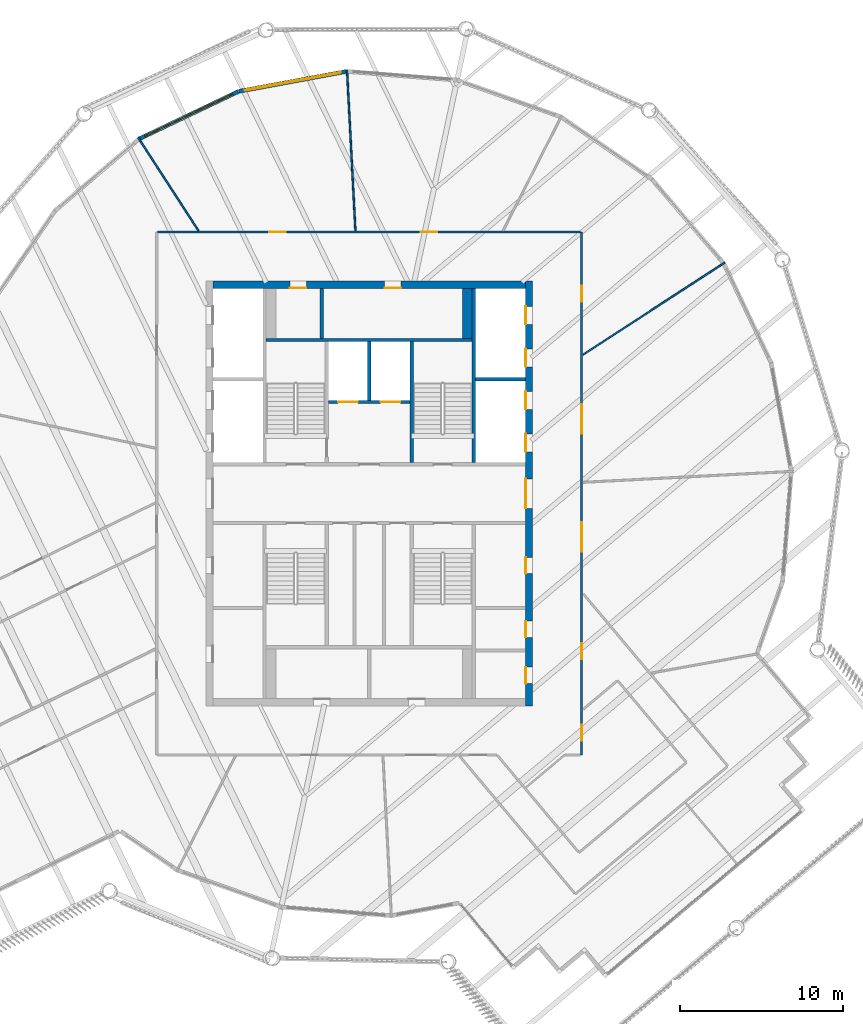
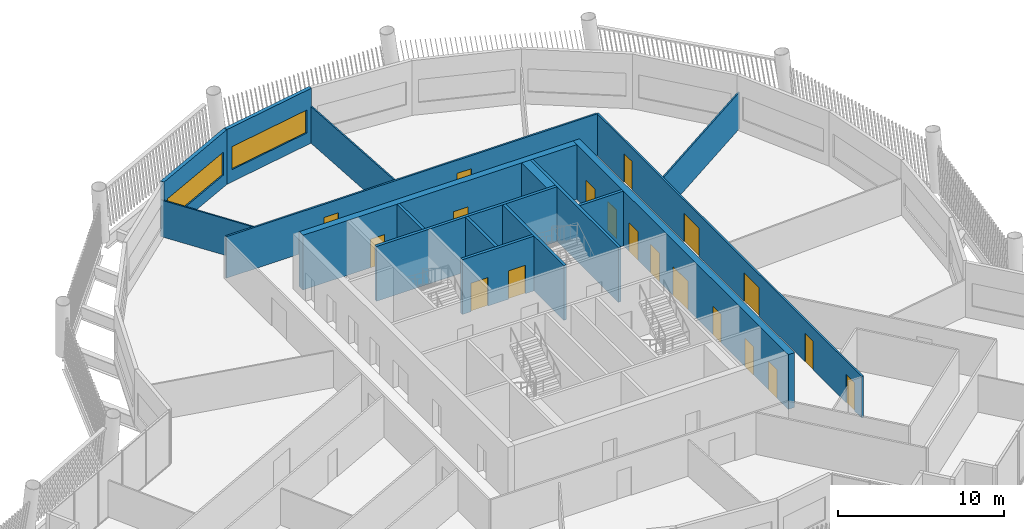
# One storey, part 22 of 31: 19 doors, 17 walls, 2 windows, 21 openings.
"""IFC4 building model written with IfcOpenShell, lengths in metres."""

from ifc_helpers import new_model, si_unit, direction, frame, frame_2d, origin, place, context, subcontext, project, spatial, rectangle, extrude, material, layer, layer_set, type_object, element, fill, save


model = new_model("IFC4")

# Units and contexts
model_context = context("Model", 3, precision=1e-05, world=origin(), true_north=direction((0.0, 1.0)))
body_context = subcontext(model_context, "Body", "Model", "MODEL_VIEW")
ifc_project = project(units=[si_unit("LENGTHUNIT", "METRE"), si_unit("AREAUNIT", "SQUARE_METRE"), si_unit("VOLUMEUNIT", "CUBIC_METRE"), si_unit("PLANEANGLEUNIT", "RADIAN"), si_unit("MASSUNIT", "GRAM", prefix="KILO")], contexts=[model_context])

# Site, building, storey
site_placement = place(None, origin())
site = spatial("IfcSite", under=ifc_project, at=site_placement, CompositionType="ELEMENT")
building_placement = place(site_placement, origin())
building = spatial("IfcBuilding", under=site, at=building_placement, Name="Tarsis Ring Headquarters", CompositionType="ELEMENT")
storey_placement = place(building_placement, frame((0.0, 0.0, 390.199951171875)))
storey = spatial("IfcBuildingStorey", under=building, at=storey_placement, Name="L92", CompositionType="ELEMENT", Elevation=390.199951171875)

# Wall
ifc_material_1 = material(Name="Blockwork", Category="masonry")
ifc_layer_1 = layer(ifc_material_1, 0.199951171875)
ifc_layer_set_1 = layer_set([ifc_layer_1], Name="Core blockwork wall 200")
wall_type_1 = type_object("IfcWallType", Name="Core blockwork wall 200", PredefinedType="PARTITIONING", material=ifc_layer_set_1)
wall_1_placement = place(storey_placement, frame((-2.89990234375, 9.5, 0.0), z_axis=(0.0, 0.0, 1.0), x_axis=(0.0, 1.0, 0.0)))
element("IfcWall", 1, at=wall_1_placement, inside=storey, type_object=wall_type_1, Name="Core partition ND1", PredefinedType="PARTITIONING", context=body_context, shape_type="SweptSolid", body=[
    extrude(rectangle(XDim=3.050048828125, YDim=0.199951171875, at=frame_2d((1.52490234375, 0.0))), origin(), (0.0, 0.0, 1.0), 4.0400390625),
])

# Wall, openings, doors
ifc_material_2 = material(Name="Concrete C50/60", Category="concrete")
ifc_layer_2 = layer(ifc_material_2, 0.449951171875)
ifc_layer_set_2 = layer_set([ifc_layer_2], Name="Core wall 450 C50/60")
wall_type_2 = type_object("IfcWallType", Name="Core wall 450 C50/60", PredefinedType="SHEAR", material=ifc_layer_set_2)
wall_2_placement = place(storey_placement, frame((9.77490234375, -13.0, 0.0), z_axis=(0.0, 0.0, 1.0), x_axis=(0.0, 1.0, 0.0)))
wall_2 = element("IfcWall", 2, at=wall_2_placement, inside=storey, type_object=wall_type_2, Name="Core wall OE", PredefinedType="SHEAR", context=body_context, shape_type="SweptSolid", body=[
    extrude(rectangle(XDim=26.0, YDim=0.449951171875, at=frame_2d((13.0, 0.0))), origin(), (0.0, 0.0, 1.0), 4.0400390625),
])
opening_1_placement = place(wall_2_placement, frame((1.375, 0.0, 0.0)))
opening_1 = element("IfcOpeningElement", 3, at=opening_1_placement, cuts=wall_2, Name="Opening L92-C08", PredefinedType="OPENING", context=body_context, shape_type="SweptSolid", body=[
    extrude(rectangle(XDim=1.0, YDim=2.10009765625, at=frame_2d((0.5, 1.050048828125))), frame((0.0, 0.23486328125, 0.0), z_axis=(0.0, -1.0, 0.0), x_axis=(1.0, 0.0, 0.0)), (0.0, 0.0, 1.0), 0.469970703125),
])
opening_2_placement = place(wall_2_placement, frame((4.199951171875, 0.0, 0.0)))
opening_2 = element("IfcOpeningElement", 4, at=opening_2_placement, cuts=wall_2, Name="Opening L92-C09", PredefinedType="OPENING", context=body_context, shape_type="SweptSolid", body=[
    extrude(rectangle(XDim=1.0, YDim=2.10009765625, at=frame_2d((0.5, 1.050048828125))), frame((0.0, 0.23486328125, 0.0), z_axis=(0.0, -1.0, 0.0), x_axis=(1.0, 0.0, 0.0)), (0.0, 0.0, 1.0), 0.469970703125),
])
opening_3_placement = place(wall_2_placement, frame((8.10009765625, 0.0, 0.0)))
opening_3 = element("IfcOpeningElement", 5, at=opening_3_placement, cuts=wall_2, Name="Opening L92-C10", PredefinedType="OPENING", context=body_context, shape_type="SweptSolid", body=[
    extrude(rectangle(XDim=1.0, YDim=2.10009765625, at=frame_2d((0.5, 1.050048828125))), frame((0.0, 0.23486328125, 0.0), z_axis=(0.0, -1.0, 0.0), x_axis=(1.0, 0.0, 0.0)), (0.0, 0.0, 1.0), 0.469970703125),
])
opening_4_placement = place(wall_2_placement, frame((12.10009765625, 0.0, 0.0)))
opening_4 = element("IfcOpeningElement", 6, at=opening_4_placement, cuts=wall_2, Name="Opening L92-C11", PredefinedType="OPENING", context=body_context, shape_type="SweptSolid", body=[
    extrude(rectangle(XDim=1.800048828125, YDim=2.10009765625, at=frame_2d((0.89990234375, 1.050048828125))), frame((0.0, 0.23486328125, 0.0), z_axis=(0.0, -1.0, 0.0), x_axis=(1.0, 0.0, 0.0)), (0.0, 0.0, 1.0), 0.469970703125),
])
opening_5_placement = place(wall_2_placement, frame((15.550048828125, 0.0, 0.0)))
opening_5 = element("IfcOpeningElement", 7, at=opening_5_placement, cuts=wall_2, Name="Opening LD-HR5", PredefinedType="OPENING", context=body_context, shape_type="SweptSolid", body=[
    extrude(rectangle(XDim=1.10009765625, YDim=2.10009765625, at=frame_2d((0.550048828125, 1.050048828125))), frame((0.0, 0.23486328125, 0.0), z_axis=(0.0, -1.0, 0.0), x_axis=(1.0, 0.0, 0.0)), (0.0, 0.0, 1.0), 0.469970703125),
])
opening_6_placement = place(wall_2_placement, frame((18.14990234375, 0.0, 0.0)))
opening_6 = element("IfcOpeningElement", 8, at=opening_6_placement, cuts=wall_2, Name="Opening LD-HR6", PredefinedType="OPENING", context=body_context, shape_type="SweptSolid", body=[
    extrude(rectangle(XDim=1.10009765625, YDim=2.10009765625, at=frame_2d((0.550048828125, 1.050048828125))), frame((0.0, 0.23486328125, 0.0), z_axis=(0.0, -1.0, 0.0), x_axis=(1.0, 0.0, 0.0)), (0.0, 0.0, 1.0), 0.469970703125),
])
opening_7_placement = place(wall_2_placement, frame((20.75, 0.0, 0.0)))
opening_7 = element("IfcOpeningElement", 9, at=opening_7_placement, cuts=wall_2, Name="Opening LD-HR7", PredefinedType="OPENING", context=body_context, shape_type="SweptSolid", body=[
    extrude(rectangle(XDim=1.10009765625, YDim=2.10009765625, at=frame_2d((0.550048828125, 1.050048828125))), frame((0.0, 0.23486328125, 0.0), z_axis=(0.0, -1.0, 0.0), x_axis=(1.0, 0.0, 0.0)), (0.0, 0.0, 1.0), 0.469970703125),
])
opening_8_placement = place(wall_2_placement, frame((23.35009765625, 0.0, 0.0)))
opening_8 = element("IfcOpeningElement", 10, at=opening_8_placement, cuts=wall_2, Name="Opening LD-HR8", PredefinedType="OPENING", context=body_context, shape_type="SweptSolid", body=[
    extrude(rectangle(XDim=1.10009765625, YDim=2.10009765625, at=frame_2d((0.550048828125, 1.050048828125))), frame((0.0, 0.23486328125, 0.0), z_axis=(0.0, -1.0, 0.0), x_axis=(1.0, 0.0, 0.0)), (0.0, 0.0, 1.0), 0.469970703125),
])
ifc_material_3 = material(Name="Steel S355", Category="steel")
door_type_1 = type_object("IfcDoorType", Name="Core entry door 1800x2100", OperationType="DOUBLE_DOOR_SINGLE_SWING", PredefinedType="DOOR", material=ifc_material_3)
door_1_placement = place(opening_4_placement, origin())
door_1 = element("IfcDoor", 11, at=door_1_placement, inside=storey, type_object=door_type_1, Name="Core entry door L92", OperationType="DOUBLE_DOOR_SINGLE_SWING", OverallHeight=2.10009765625, OverallWidth=1.800048828125, PredefinedType="DOOR", context=body_context, shape_type="SweptSolid", body=[
    extrude(rectangle(XDim=1.800048828125, YDim=2.10009765625, at=frame_2d((0.89990234375, 1.050048828125))), frame((0.0, 0.22509765625, 0.0), z_axis=(0.0, -1.0, 0.0), x_axis=(1.0, 0.0, 0.0)), (0.0, 0.0, 1.0), 0.050048828125),
])
fill(opening_4, door_1)
door_type_2 = type_object("IfcDoorType", Name="Core room door 1000x2100", OperationType="SINGLE_SWING_LEFT", PredefinedType="DOOR", material=ifc_material_3)
door_2_placement = place(opening_1_placement, origin())
door_2 = element("IfcDoor", 12, at=door_2_placement, inside=storey, type_object=door_type_2, Name="Core room door L92", OperationType="SINGLE_SWING_LEFT", OverallHeight=2.10009765625, OverallWidth=1.0, PredefinedType="DOOR", context=body_context, shape_type="SweptSolid", body=[
    extrude(rectangle(XDim=1.0, YDim=2.10009765625, at=frame_2d((0.5, 1.050048828125))), frame((0.0, 0.22509765625, 0.0), z_axis=(0.0, -1.0, 0.0), x_axis=(1.0, 0.0, 0.0)), (0.0, 0.0, 1.0), 0.050048828125),
])
fill(opening_1, door_2)
door_3_placement = place(opening_2_placement, origin())
door_3 = element("IfcDoor", 13, at=door_3_placement, inside=storey, type_object=door_type_2, Name="Core room door L92", OperationType="SINGLE_SWING_LEFT", OverallHeight=2.10009765625, OverallWidth=1.0, PredefinedType="DOOR", context=body_context, shape_type="SweptSolid", body=[
    extrude(rectangle(XDim=1.0, YDim=2.10009765625, at=frame_2d((0.5, 1.050048828125))), frame((0.0, 0.22509765625, 0.0), z_axis=(0.0, -1.0, 0.0), x_axis=(1.0, 0.0, 0.0)), (0.0, 0.0, 1.0), 0.050048828125),
])
fill(opening_2, door_3)
door_4_placement = place(opening_3_placement, origin())
door_4 = element("IfcDoor", 14, at=door_4_placement, inside=storey, type_object=door_type_2, Name="Core room door L92", OperationType="SINGLE_SWING_LEFT", OverallHeight=2.10009765625, OverallWidth=1.0, PredefinedType="DOOR", context=body_context, shape_type="SweptSolid", body=[
    extrude(rectangle(XDim=1.0, YDim=2.10009765625, at=frame_2d((0.5, 1.050048828125))), frame((0.0, 0.22509765625, 0.0), z_axis=(0.0, -1.0, 0.0), x_axis=(1.0, 0.0, 0.0)), (0.0, 0.0, 1.0), 0.050048828125),
])
fill(opening_3, door_4)
door_type_3 = type_object("IfcDoorType", Name="Landing door 1100x2100", OperationType="SLIDING_TO_LEFT", PredefinedType="DOOR", material=ifc_material_3)
door_5_placement = place(opening_5_placement, origin())
door_5 = element("IfcDoor", 15, at=door_5_placement, inside=storey, type_object=door_type_3, Name="Landing door HR5 L92", OperationType="SLIDING_TO_LEFT", OverallHeight=2.10009765625, OverallWidth=1.10009765625, PredefinedType="DOOR", context=body_context, shape_type="SweptSolid", body=[
    extrude(rectangle(XDim=1.10009765625, YDim=2.10009765625, at=frame_2d((0.550048828125, 1.050048828125))), frame((0.0, 0.22509765625, 0.0), z_axis=(0.0, -1.0, 0.0), x_axis=(1.0, 0.0, 0.0)), (0.0, 0.0, 1.0), 0.050048828125),
])
fill(opening_5, door_5)
door_6_placement = place(opening_6_placement, origin())
door_6 = element("IfcDoor", 16, at=door_6_placement, inside=storey, type_object=door_type_3, Name="Landing door HR6 L92", OperationType="SLIDING_TO_LEFT", OverallHeight=2.10009765625, OverallWidth=1.10009765625, PredefinedType="DOOR", context=body_context, shape_type="SweptSolid", body=[
    extrude(rectangle(XDim=1.10009765625, YDim=2.10009765625, at=frame_2d((0.550048828125, 1.050048828125))), frame((0.0, 0.22509765625, 0.0), z_axis=(0.0, -1.0, 0.0), x_axis=(1.0, 0.0, 0.0)), (0.0, 0.0, 1.0), 0.050048828125),
])
fill(opening_6, door_6)
door_7_placement = place(opening_7_placement, origin())
door_7 = element("IfcDoor", 17, at=door_7_placement, inside=storey, type_object=door_type_3, Name="Landing door HR7 L92", OperationType="SLIDING_TO_LEFT", OverallHeight=2.10009765625, OverallWidth=1.10009765625, PredefinedType="DOOR", context=body_context, shape_type="SweptSolid", body=[
    extrude(rectangle(XDim=1.10009765625, YDim=2.10009765625, at=frame_2d((0.550048828125, 1.050048828125))), frame((0.0, 0.22509765625, 0.0), z_axis=(0.0, -1.0, 0.0), x_axis=(1.0, 0.0, 0.0)), (0.0, 0.0, 1.0), 0.050048828125),
])
fill(opening_7, door_7)
door_8_placement = place(opening_8_placement, origin())
door_8 = element("IfcDoor", 18, at=door_8_placement, inside=storey, type_object=door_type_3, Name="Landing door HR8 L92", OperationType="SLIDING_TO_LEFT", OverallHeight=2.10009765625, OverallWidth=1.10009765625, PredefinedType="DOOR", context=body_context, shape_type="SweptSolid", body=[
    extrude(rectangle(XDim=1.10009765625, YDim=2.10009765625, at=frame_2d((0.550048828125, 1.050048828125))), frame((0.0, 0.22509765625, 0.0), z_axis=(0.0, -1.0, 0.0), x_axis=(1.0, 0.0, 0.0)), (0.0, 0.0, 1.0), 0.050048828125),
])
fill(opening_8, door_8)

wall_3_placement = place(storey_placement, frame((-9.550048828125, 12.77490234375, 0.0), z_axis=(0.0, 0.0, 1.0), x_axis=(1.0, 0.0, 0.0)))
wall_3 = element("IfcWall", 19, at=wall_3_placement, inside=storey, type_object=wall_type_2, Name="Core wall ON", PredefinedType="SHEAR", context=body_context, shape_type="SweptSolid", body=[
    extrude(rectangle(XDim=19.10009765625, YDim=0.449951171875, at=frame_2d((9.550048828125, 0.0))), origin(), (0.0, 0.0, 1.0), 4.0400390625),
])
opening_9_placement = place(wall_3_placement, frame((4.699951171875, 0.0, 0.0)))
opening_9 = element("IfcOpeningElement", 20, at=opening_9_placement, cuts=wall_3, Name="Opening L92-C16", PredefinedType="OPENING", context=body_context, shape_type="SweptSolid", body=[
    extrude(rectangle(XDim=1.0, YDim=2.10009765625, at=frame_2d((0.5, 1.050048828125))), frame((0.0, 0.23486328125, 0.0), z_axis=(0.0, -1.0, 0.0), x_axis=(1.0, 0.0, 0.0)), (0.0, 0.0, 1.0), 0.469970703125),
])
opening_10_placement = place(wall_3_placement, frame((10.5, 0.0, 0.0)))
opening_10 = element("IfcOpeningElement", 21, at=opening_10_placement, cuts=wall_3, Name="Opening L92-C17", PredefinedType="OPENING", context=body_context, shape_type="SweptSolid", body=[
    extrude(rectangle(XDim=1.0, YDim=2.10009765625, at=frame_2d((0.5, 1.050048828125))), frame((0.0, 0.23486328125, 0.0), z_axis=(0.0, -1.0, 0.0), x_axis=(1.0, 0.0, 0.0)), (0.0, 0.0, 1.0), 0.469970703125),
])
door_9_placement = place(opening_9_placement, origin())
door_9 = element("IfcDoor", 22, at=door_9_placement, inside=storey, type_object=door_type_2, Name="Core room door L92", OperationType="SINGLE_SWING_LEFT", OverallHeight=2.10009765625, OverallWidth=1.0, PredefinedType="DOOR", context=body_context, shape_type="SweptSolid", body=[
    extrude(rectangle(XDim=1.0, YDim=2.10009765625, at=frame_2d((0.5, 1.050048828125))), frame((0.0, -0.1748046875, 0.0), z_axis=(0.0, -1.0, 0.0), x_axis=(1.0, 0.0, 0.0)), (0.0, 0.0, 1.0), 0.050048828125),
])
fill(opening_9, door_9)
door_10_placement = place(opening_10_placement, origin())
door_10 = element("IfcDoor", 23, at=door_10_placement, inside=storey, type_object=door_type_2, Name="Core room door L92", OperationType="SINGLE_SWING_LEFT", OverallHeight=2.10009765625, OverallWidth=1.0, PredefinedType="DOOR", context=body_context, shape_type="SweptSolid", body=[
    extrude(rectangle(XDim=1.0, YDim=2.10009765625, at=frame_2d((0.5, 1.050048828125))), frame((0.0, -0.1748046875, 0.0), z_axis=(0.0, -1.0, 0.0), x_axis=(1.0, 0.0, 0.0)), (0.0, 0.0, 1.0), 0.050048828125),
])
fill(opening_10, door_10)

# Walls
ifc_material_4 = material(Name="Gypsum board on steel studs", Category="steel")
ifc_layer_3 = layer(ifc_material_4, 0.10009765625)
ifc_layer_set_3 = layer_set([ifc_layer_3], Name="FL partition 100 unrated")
wall_type_3 = type_object("IfcWallType", Name="FL partition 100 unrated", PredefinedType="PARTITIONING", material=ifc_layer_set_3)
wall_4_placement = place(storey_placement, frame((13.083984375, 8.496826171875, 0.0), z_axis=(0.0, 0.0, 1.0), x_axis=(0.838676425527, 0.544630015024, 0.0)))
element("IfcWall", 24, at=wall_4_placement, inside=storey, type_object=wall_type_3, Name="Partition PW3", PredefinedType="PARTITIONING", context=body_context, shape_type="SweptSolid", body=[
    extrude(rectangle(XDim=10.346923828125, YDim=0.10009765625, at=frame_2d((5.17333984375, 0.0))), origin(), (0.0, 0.0, 1.0), 2.699951171875),
])
wall_5_placement = place(storey_placement, frame((-1.35791015625, 25.912353515625, 0.0), z_axis=(0.0, 0.0, 1.0), x_axis=(0.05231570924, -0.998630595649, 0.0)))
element("IfcWall", 25, at=wall_5_placement, inside=storey, type_object=wall_type_3, Name="Partition PW3", PredefinedType="PARTITIONING", context=body_context, shape_type="SweptSolid", body=[
    extrude(rectangle(XDim=9.85595703125, YDim=0.10009765625, at=frame_2d((4.927978515625, 0.0))), origin(), (0.0, 0.0, 1.0), 2.699951171875),
])
wall_6_placement = place(storey_placement, frame((-14.132080078125, 21.76171875, 0.0), z_axis=(0.0, 0.0, 1.0), x_axis=(0.544623232492, -0.838680830012, 0.0)))
element("IfcWall", 26, at=wall_6_placement, inside=storey, type_object=wall_type_3, Name="Partition PW3", PredefinedType="PARTITIONING", context=body_context, shape_type="SweptSolid", body=[
    extrude(rectangle(XDim=6.769775390625, YDim=0.10009765625, at=frame_2d((3.384765625, 0.0))), origin(), (0.0, 0.0, 1.0), 2.699951171875),
])

# Wall, openings, doors
ifc_layer_4 = layer(ifc_material_4, 0.125)
ifc_layer_set_4 = layer_set([ifc_layer_4], Name="FL partition 125 EI 60 H3070")
wall_type_4 = type_object("IfcWallType", Name="FL partition 125 EI 60 H3070", PredefinedType="PARTITIONING", material=ifc_layer_set_4)
wall_7_placement = place(storey_placement, frame((13.0, -15.9990234375, 0.0), z_axis=(0.0, 0.0, 1.0), x_axis=(0.0, 1.0, 0.0)))
wall_7 = element("IfcWall", 27, at=wall_7_placement, inside=storey, type_object=wall_type_4, Name="Partition PW1H307", PredefinedType="PARTITIONING", context=body_context, shape_type="SweptSolid", body=[
    extrude(rectangle(XDim=31.9990234375, YDim=0.125, at=frame_2d((15.99951171875, 0.0))), origin(), (0.0, 0.0, 1.0), 3.070068359375),
])
opening_11_placement = place(wall_7_placement, frame((27.72021484375, 0.0, 0.0)))
opening_11 = element("IfcOpeningElement", 28, at=opening_11_placement, cuts=wall_7, Name="Opening D92.06", PredefinedType="OPENING", context=body_context, shape_type="SweptSolid", body=[
    extrude(rectangle(XDim=1.0, YDim=2.10009765625, at=frame_2d((0.5, 1.050048828125))), frame((0.0, 0.072509765625, 0.0), z_axis=(0.0, -1.0, 0.0), x_axis=(1.0, 0.0, 0.0)), (0.0, 0.0, 1.0), 0.14501953125),
])
opening_12_placement = place(wall_7_placement, frame((19.660888671875, 0.0, 0.0)))
opening_12 = element("IfcOpeningElement", 29, at=opening_12_placement, cuts=wall_7, Name="Opening D92.07", PredefinedType="OPENING", context=body_context, shape_type="SweptSolid", body=[
    extrude(rectangle(XDim=1.800048828125, YDim=2.10009765625, at=frame_2d((0.89990234375, 1.050048828125))), frame((0.0, 0.072509765625, 0.0), z_axis=(0.0, -1.0, 0.0), x_axis=(1.0, 0.0, 0.0)), (0.0, 0.0, 1.0), 0.14501953125),
])
opening_13_placement = place(wall_7_placement, frame((12.430419921875, 0.0, 0.0)))
opening_13 = element("IfcOpeningElement", 30, at=opening_13_placement, cuts=wall_7, Name="Opening D92.08", PredefinedType="OPENING", context=body_context, shape_type="SweptSolid", body=[
    extrude(rectangle(XDim=1.800048828125, YDim=2.10009765625, at=frame_2d((0.89990234375, 1.050048828125))), frame((0.0, 0.072509765625, 0.0), z_axis=(0.0, -1.0, 0.0), x_axis=(1.0, 0.0, 0.0)), (0.0, 0.0, 1.0), 0.14501953125),
])
opening_14_placement = place(wall_7_placement, frame((0.8603515625, 0.0, 0.0)))
opening_14 = element("IfcOpeningElement", 31, at=opening_14_placement, cuts=wall_7, Name="Opening D92.14", PredefinedType="OPENING", context=body_context, shape_type="SweptSolid", body=[
    extrude(rectangle(XDim=1.0, YDim=2.10009765625, at=frame_2d((0.5, 1.050048828125))), frame((0.0, 0.072509765625, 0.0), z_axis=(0.0, -1.0, 0.0), x_axis=(1.0, 0.0, 0.0)), (0.0, 0.0, 1.0), 0.14501953125),
])
opening_15_placement = place(wall_7_placement, frame((5.8505859375, 0.0, 0.0)))
opening_15 = element("IfcOpeningElement", 32, at=opening_15_placement, cuts=wall_7, Name="Opening D92.16", PredefinedType="OPENING", context=body_context, shape_type="SweptSolid", body=[
    extrude(rectangle(XDim=1.0, YDim=2.10009765625, at=frame_2d((0.5, 1.050048828125))), frame((0.0, 0.072509765625, 0.0), z_axis=(0.0, -1.0, 0.0), x_axis=(1.0, 0.0, 0.0)), (0.0, 0.0, 1.0), 0.14501953125),
])
ifc_material_5 = material(Name="Fire-rated timber door leaf in steel frame", Category="steel")
door_type_4 = type_object("IfcDoorType", Name="FL door FD60-1000", OperationType="NOTDEFINED", PredefinedType="DOOR", material=ifc_material_5)
door_11_placement = place(opening_11_placement, origin())
door_11 = element("IfcDoor", 33, at=door_11_placement, inside=storey, type_object=door_type_4, Name="Door D92.06", OperationType="SINGLE_SWING_RIGHT", OverallHeight=2.10009765625, OverallWidth=1.0, PredefinedType="DOOR", context=body_context, shape_type="SweptSolid", body=[
    extrude(rectangle(XDim=1.0, YDim=2.10009765625, at=frame_2d((0.5, 1.050048828125))), frame((0.0, 0.02490234375, 0.0), z_axis=(0.0, -1.0, 0.0), x_axis=(1.0, 0.0, 0.0)), (0.0, 0.0, 1.0), 0.050048828125),
])
fill(opening_11, door_11)
door_12_placement = place(opening_14_placement, origin())
door_12 = element("IfcDoor", 34, at=door_12_placement, inside=storey, type_object=door_type_4, Name="Door D92.14", OperationType="SINGLE_SWING_RIGHT", OverallHeight=2.10009765625, OverallWidth=1.0, PredefinedType="DOOR", context=body_context, shape_type="SweptSolid", body=[
    extrude(rectangle(XDim=1.0, YDim=2.10009765625, at=frame_2d((0.5, 1.050048828125))), frame((0.0, 0.02490234375, 0.0), z_axis=(0.0, -1.0, 0.0), x_axis=(1.0, 0.0, 0.0)), (0.0, 0.0, 1.0), 0.050048828125),
])
fill(opening_14, door_12)
door_13_placement = place(opening_15_placement, origin())
door_13 = element("IfcDoor", 35, at=door_13_placement, inside=storey, type_object=door_type_4, Name="Door D92.16", OperationType="SINGLE_SWING_RIGHT", OverallHeight=2.10009765625, OverallWidth=1.0, PredefinedType="DOOR", context=body_context, shape_type="SweptSolid", body=[
    extrude(rectangle(XDim=1.0, YDim=2.10009765625, at=frame_2d((0.5, 1.050048828125))), frame((0.0, 0.02490234375, 0.0), z_axis=(0.0, -1.0, 0.0), x_axis=(1.0, 0.0, 0.0)), (0.0, 0.0, 1.0), 0.050048828125),
])
fill(opening_15, door_13)
door_type_5 = type_object("IfcDoorType", Name="FL door FD60-1800", OperationType="DOUBLE_DOOR_SINGLE_SWING", PredefinedType="DOOR", material=ifc_material_5)
door_14_placement = place(opening_12_placement, origin())
door_14 = element("IfcDoor", 36, at=door_14_placement, inside=storey, type_object=door_type_5, Name="Door D92.07", OperationType="DOUBLE_DOOR_SINGLE_SWING", OverallHeight=2.10009765625, OverallWidth=1.800048828125, PredefinedType="DOOR", context=body_context, shape_type="SweptSolid", body=[
    extrude(rectangle(XDim=1.800048828125, YDim=2.10009765625, at=frame_2d((0.89990234375, 1.050048828125))), frame((0.0, 0.02490234375, 0.0), z_axis=(0.0, -1.0, 0.0), x_axis=(1.0, 0.0, 0.0)), (0.0, 0.0, 1.0), 0.050048828125),
])
fill(opening_12, door_14)
door_15_placement = place(opening_13_placement, origin())
door_15 = element("IfcDoor", 37, at=door_15_placement, inside=storey, type_object=door_type_5, Name="Door D92.08", OperationType="DOUBLE_DOOR_SINGLE_SWING", OverallHeight=2.10009765625, OverallWidth=1.800048828125, PredefinedType="DOOR", context=body_context, shape_type="SweptSolid", body=[
    extrude(rectangle(XDim=1.800048828125, YDim=2.10009765625, at=frame_2d((0.89990234375, 1.050048828125))), frame((0.0, 0.02490234375, 0.0), z_axis=(0.0, -1.0, 0.0), x_axis=(1.0, 0.0, 0.0)), (0.0, 0.0, 1.0), 0.050048828125),
])
fill(opening_13, door_15)

wall_8_placement = place(storey_placement, frame((-12.93994140625, 16.0, 0.0), z_axis=(0.0, 0.0, 1.0), x_axis=(1.0, 0.0, 0.0)))
wall_8 = element("IfcWall", 38, at=wall_8_placement, inside=storey, type_object=wall_type_4, Name="Partition PW1H307", PredefinedType="PARTITIONING", context=body_context, shape_type="SweptSolid", body=[
    extrude(rectangle(XDim=25.8798828125, YDim=0.125, at=frame_2d((12.93994140625, 0.0))), origin(), (0.0, 0.0, 1.0), 3.070068359375),
])
opening_16_placement = place(wall_8_placement, frame((6.825439453125, 0.0, 0.0)))
opening_16 = element("IfcOpeningElement", 39, at=opening_16_placement, cuts=wall_8, Name="Opening D92.04", PredefinedType="OPENING", context=body_context, shape_type="SweptSolid", body=[
    extrude(rectangle(XDim=1.0, YDim=2.10009765625, at=frame_2d((0.5, 1.050048828125))), frame((0.0, 0.072509765625, 0.0), z_axis=(0.0, -1.0, 0.0), x_axis=(1.0, 0.0, 0.0)), (0.0, 0.0, 1.0), 0.14501953125),
])
opening_17_placement = place(wall_8_placement, frame((16.096923828125, 0.0, 0.0)))
opening_17 = element("IfcOpeningElement", 40, at=opening_17_placement, cuts=wall_8, Name="Opening D92.05", PredefinedType="OPENING", context=body_context, shape_type="SweptSolid", body=[
    extrude(rectangle(XDim=1.0, YDim=2.10009765625, at=frame_2d((0.5, 1.050048828125))), frame((0.0, 0.072509765625, 0.0), z_axis=(0.0, -1.0, 0.0), x_axis=(1.0, 0.0, 0.0)), (0.0, 0.0, 1.0), 0.14501953125),
])
door_16_placement = place(opening_16_placement, origin())
door_16 = element("IfcDoor", 41, at=door_16_placement, inside=storey, type_object=door_type_4, Name="Door D92.04", OperationType="SINGLE_SWING_RIGHT", OverallHeight=2.10009765625, OverallWidth=1.0, PredefinedType="DOOR", context=body_context, shape_type="SweptSolid", body=[
    extrude(rectangle(XDim=1.0, YDim=2.10009765625, at=frame_2d((0.5, 1.050048828125))), frame((0.0, 0.02490234375, 0.0), z_axis=(0.0, -1.0, 0.0), x_axis=(1.0, 0.0, 0.0)), (0.0, 0.0, 1.0), 0.050048828125),
])
fill(opening_16, door_16)
door_17_placement = place(opening_17_placement, origin())
door_17 = element("IfcDoor", 42, at=door_17_placement, inside=storey, type_object=door_type_4, Name="Door D92.05", OperationType="SINGLE_SWING_LEFT", OverallHeight=2.10009765625, OverallWidth=1.0, PredefinedType="DOOR", context=body_context, shape_type="SweptSolid", body=[
    extrude(rectangle(XDim=1.0, YDim=2.10009765625, at=frame_2d((0.5, 1.050048828125))), frame((0.0, 0.02490234375, 0.0), z_axis=(0.0, -1.0, 0.0), x_axis=(1.0, 0.0, 0.0)), (0.0, 0.0, 1.0), 0.050048828125),
])
fill(opening_17, door_17)

# Wall, opening, window
ifc_material_6 = material(Name="Terracotta clad insulated panel wall", Category="masonry")
ifc_layer_5 = layer(ifc_material_6, 0.25)
ifc_layer_set_5 = layer_set([ifc_layer_5], Name="Facade wall terracotta panel 250")
wall_type_5 = type_object("IfcWallType", Name="Facade wall terracotta panel 250", PredefinedType="STANDARD", material=ifc_layer_set_5)
wall_9_placement = place(storey_placement, frame((-1.370361328125, 25.83544921875, 0.0), z_axis=(0.0, 0.0, 1.0), x_axis=(-0.983255740285, -0.182231032472, 0.0)))
wall_9 = element("IfcWall", 43, at=wall_9_placement, inside=storey, type_object=wall_type_5, Name="External wall L92-25", PredefinedType="STANDARD", context=body_context, shape_type="SweptSolid", body=[
    extrude(rectangle(XDim=6.721435546875, YDim=0.25, at=frame_2d((3.36083984375, 0.0))), origin(), (0.0, 0.0, 1.0), 4.0400390625),
])
opening_18_placement = place(wall_9_placement, frame((0.3857421875, 0.0, 0.89990234375)))
opening_18 = element("IfcOpeningElement", 44, at=opening_18_placement, cuts=wall_9, Name="Opening WN07", PredefinedType="OPENING", context=body_context, shape_type="SweptSolid", body=[
    extrude(rectangle(XDim=5.949951171875, YDim=1.699951171875, at=frame_2d((2.97509765625, 0.85009765625))), frame((0.0, 0.135009765625, 0.0), z_axis=(0.0, -1.0, 0.0), x_axis=(1.0, 0.0, 0.0)), (0.0, 0.0, 1.0), 0.27001953125),
])
ifc_material_7 = material(Name="Aluminium framed double glazing", Category="aluminium")
window_type = type_object("IfcWindowType", Name="Facade window 5950 x 1700", PartitioningType="SINGLE_PANEL", PredefinedType="WINDOW", material=ifc_material_7)
window_1_placement = place(opening_18_placement, origin())
window_1 = element("IfcWindow", 45, at=window_1_placement, inside=storey, type_object=window_type, Name="Window L92-25.1", OverallHeight=1.699951171875, OverallWidth=5.949951171875, PartitioningType="SINGLE_PANEL", PredefinedType="WINDOW", context=body_context, shape_type="SweptSolid", body=[
    extrude(rectangle(XDim=5.949951171875, YDim=1.699951171875, at=frame_2d((2.97509765625, 0.85009765625))), frame((0.0, 0.030029296875, 0.0), z_axis=(0.0, -1.0, 0.0), x_axis=(1.0, 0.0, 0.0)), (0.0, 0.0, 1.0), 0.06005859375),
])
fill(opening_18, window_1)

wall_10_placement = place(storey_placement, frame((-8.01025390625, 24.6005859375, 0.0), z_axis=(0.0, 0.0, 1.0), x_axis=(-0.902583054236, -0.430515772308, 0.0)))
wall_10 = element("IfcWall", 46, at=wall_10_placement, inside=storey, type_object=wall_type_5, Name="External wall L92-26", PredefinedType="STANDARD", context=body_context, shape_type="SweptSolid", body=[
    extrude(rectangle(XDim=6.7216796875, YDim=0.25, at=frame_2d((3.36083984375, 0.0))), origin(), (0.0, 0.0, 1.0), 4.0400390625),
])
opening_19_placement = place(wall_10_placement, frame((0.3857421875, 0.0, 0.89990234375)))
opening_19 = element("IfcOpeningElement", 47, at=opening_19_placement, cuts=wall_10, Name="Opening WN07", PredefinedType="OPENING", context=body_context, shape_type="SweptSolid", body=[
    extrude(rectangle(XDim=5.949951171875, YDim=1.699951171875, at=frame_2d((2.97509765625, 0.85009765625))), frame((0.0, 0.135009765625, 0.0), z_axis=(0.0, -1.0, 0.0), x_axis=(1.0, 0.0, 0.0)), (0.0, 0.0, 1.0), 0.27001953125),
])
window_2_placement = place(opening_19_placement, origin())
window_2 = element("IfcWindow", 48, at=window_2_placement, inside=storey, type_object=window_type, Name="Window L92-26.1", OverallHeight=1.699951171875, OverallWidth=5.949951171875, PartitioningType="SINGLE_PANEL", PredefinedType="WINDOW", context=body_context, shape_type="SweptSolid", body=[
    extrude(rectangle(XDim=5.949951171875, YDim=1.699951171875, at=frame_2d((2.97509765625, 0.85009765625))), frame((0.0, 0.030029296875, 0.0), z_axis=(0.0, -1.0, 0.0), x_axis=(1.0, 0.0, 0.0)), (0.0, 0.0, 1.0), 0.06005859375),
])
fill(opening_19, window_2)

# Walls
ifc_material_8 = material(Name="Concrete C32/40", Category="concrete")
ifc_layer_6 = layer(ifc_material_8, 0.60009765625)
ifc_layer_set_6 = layer_set([ifc_layer_6], Name="Shaft end wall 600 C32/40")
wall_type_6 = type_object("IfcWallType", Name="Shaft end wall 600 C32/40", PredefinedType="SOLIDWALL", material=ifc_layer_set_6)
wall_11_placement = place(storey_placement, frame((6.0, 9.5, 0.0), z_axis=(0.0, 0.0, 1.0), x_axis=(0.0, 1.0, 0.0)))
element("IfcWall", 49, at=wall_11_placement, inside=storey, type_object=wall_type_6, Name="Core shaft wall NNE2", PredefinedType="SOLIDWALL", context=body_context, shape_type="SweptSolid", body=[
    extrude(rectangle(XDim=3.050048828125, YDim=0.60009765625, at=frame_2d((1.52490234375, 0.0))), origin(), (0.0, 0.0, 1.0), 4.0400390625),
])
ifc_layer_7 = layer(ifc_material_8, 0.199951171875)
ifc_layer_set_7 = layer_set([ifc_layer_7], Name="Shaft wall 200 C32/40")
wall_type_7 = type_object("IfcWallType", Name="Shaft wall 200 C32/40", PredefinedType="SOLIDWALL", material=ifc_layer_set_7)
wall_12_placement = place(storey_placement, frame((6.39990234375, 1.89990234375, 0.0), z_axis=(0.0, 0.0, 1.0), x_axis=(0.0, 1.0, 0.0)))
element("IfcWall", 50, at=wall_12_placement, inside=storey, type_object=wall_type_7, Name="Core shaft wall EB2", PredefinedType="SOLIDWALL", context=body_context, shape_type="SweptSolid", body=[
    extrude(rectangle(XDim=10.650146484375, YDim=0.199951171875, at=frame_2d((5.3251953125, 0.0))), origin(), (0.0, 0.0, 1.0), 4.0400390625),
])
wall_13_placement = place(storey_placement, frame((-6.300048828125, 9.39990234375, 0.0), z_axis=(0.0, 0.0, 1.0), x_axis=(1.0, 0.0, 0.0)))
element("IfcWall", 51, at=wall_13_placement, inside=storey, type_object=wall_type_7, Name="Core shaft wall NB", PredefinedType="SOLIDWALL", context=body_context, shape_type="SweptSolid", body=[
    extrude(rectangle(XDim=12.60009765625, YDim=0.199951171875, at=frame_2d((6.300048828125, 0.0))), origin(), (0.0, 0.0, 1.0), 4.0400390625),
])
wall_14_placement = place(storey_placement, frame((2.60009765625, 1.89990234375, 0.0), z_axis=(0.0, 0.0, 1.0), x_axis=(0.0, 1.0, 0.0)))
element("IfcWall", 52, at=wall_14_placement, inside=storey, type_object=wall_type_7, Name="Core shaft wall SW2", PredefinedType="SOLIDWALL", context=body_context, shape_type="SweptSolid", body=[
    extrude(rectangle(XDim=7.400146484375, YDim=0.199951171875, at=frame_2d((3.7001953125, 0.0))), origin(), (0.0, 0.0, 1.0), 4.0400390625),
])

# Wall, openings, doors
wall_15_placement = place(storey_placement, frame((-2.5, 5.60009765625, 0.0), z_axis=(0.0, 0.0, 1.0), x_axis=(1.0, 0.0, 0.0)))
wall_15 = element("IfcWall", 53, at=wall_15_placement, inside=storey, type_object=wall_type_7, Name="Core shaft wall FFN", PredefinedType="SOLIDWALL", context=body_context, shape_type="SweptSolid", body=[
    extrude(rectangle(XDim=5.0, YDim=0.199951171875, at=frame_2d((2.5, 0.0))), origin(), (0.0, 0.0, 1.0), 4.0400390625),
])
opening_20_placement = place(wall_15_placement, frame((0.60009765625, 0.0, 0.0)))
opening_20 = element("IfcOpeningElement", 54, at=opening_20_placement, cuts=wall_15, Name="Opening LDF-1", PredefinedType="OPENING", context=body_context, shape_type="SweptSolid", body=[
    extrude(rectangle(XDim=1.199951171875, YDim=2.10009765625, at=frame_2d((0.60009765625, 1.050048828125))), frame((0.0, 0.10986328125, 0.0), z_axis=(0.0, -1.0, 0.0), x_axis=(1.0, 0.0, 0.0)), (0.0, 0.0, 1.0), 0.219970703125),
])
opening_21_placement = place(wall_15_placement, frame((3.199951171875, 0.0, 0.0)))
opening_21 = element("IfcOpeningElement", 55, at=opening_21_placement, cuts=wall_15, Name="Opening LDF-2", PredefinedType="OPENING", context=body_context, shape_type="SweptSolid", body=[
    extrude(rectangle(XDim=1.199951171875, YDim=2.10009765625, at=frame_2d((0.60009765625, 1.050048828125))), frame((0.0, 0.10986328125, 0.0), z_axis=(0.0, -1.0, 0.0), x_axis=(1.0, 0.0, 0.0)), (0.0, 0.0, 1.0), 0.219970703125),
])
door_type_6 = type_object("IfcDoorType", Name="Firefighting landing door 1200x2100", OperationType="SLIDING_TO_LEFT", PredefinedType="DOOR", material=ifc_material_3)
door_18_placement = place(opening_20_placement, origin())
door_18 = element("IfcDoor", 56, at=door_18_placement, inside=storey, type_object=door_type_6, Name="Landing door FF1 L92", OperationType="SLIDING_TO_LEFT", OverallHeight=2.10009765625, OverallWidth=1.199951171875, PredefinedType="DOOR", context=body_context, shape_type="SweptSolid", body=[
    extrude(rectangle(XDim=1.199951171875, YDim=2.10009765625, at=frame_2d((0.60009765625, 1.050048828125))), frame((0.0, 0.02490234375, 0.0), z_axis=(0.0, -1.0, 0.0), x_axis=(1.0, 0.0, 0.0)), (0.0, 0.0, 1.0), 0.050048828125),
])
fill(opening_20, door_18)
door_19_placement = place(opening_21_placement, origin())
door_19 = element("IfcDoor", 57, at=door_19_placement, inside=storey, type_object=door_type_6, Name="Landing door FF2 L92", OperationType="SLIDING_TO_LEFT", OverallHeight=2.10009765625, OverallWidth=1.199951171875, PredefinedType="DOOR", context=body_context, shape_type="SweptSolid", body=[
    extrude(rectangle(XDim=1.199951171875, YDim=2.10009765625, at=frame_2d((0.60009765625, 1.050048828125))), frame((0.0, 0.02490234375, 0.0), z_axis=(0.0, -1.0, 0.0), x_axis=(1.0, 0.0, 0.0)), (0.0, 0.0, 1.0), 0.050048828125),
])
fill(opening_21, door_19)

# Walls
wall_16_placement = place(storey_placement, frame((0.0, 5.699951171875, 0.0), z_axis=(0.0, 0.0, 1.0), x_axis=(0.0, 1.0, 0.0)))
element("IfcWall", 58, at=wall_16_placement, inside=storey, type_object=wall_type_7, Name="Core shaft wall FFD", PredefinedType="SOLIDWALL", context=body_context, shape_type="SweptSolid", body=[
    extrude(rectangle(XDim=3.60009765625, YDim=0.199951171875, at=frame_2d((1.800048828125, 0.0))), origin(), (0.0, 0.0, 1.0), 4.0400390625),
])
wall_17_placement = place(storey_placement, frame((6.5, 7.0, 0.0), z_axis=(0.0, 0.0, 1.0), x_axis=(1.0, 0.0, 0.0)))
element("IfcWall", 59, at=wall_17_placement, inside=storey, type_object=wall_type_7, Name="Core shaft wall ED6", PredefinedType="SOLIDWALL", context=body_context, shape_type="SweptSolid", body=[
    extrude(rectangle(XDim=3.050048828125, YDim=0.199951171875, at=frame_2d((1.52490234375, 0.0))), origin(), (0.0, 0.0, 1.0), 4.0400390625),
])

save(model, "model.ifc")
